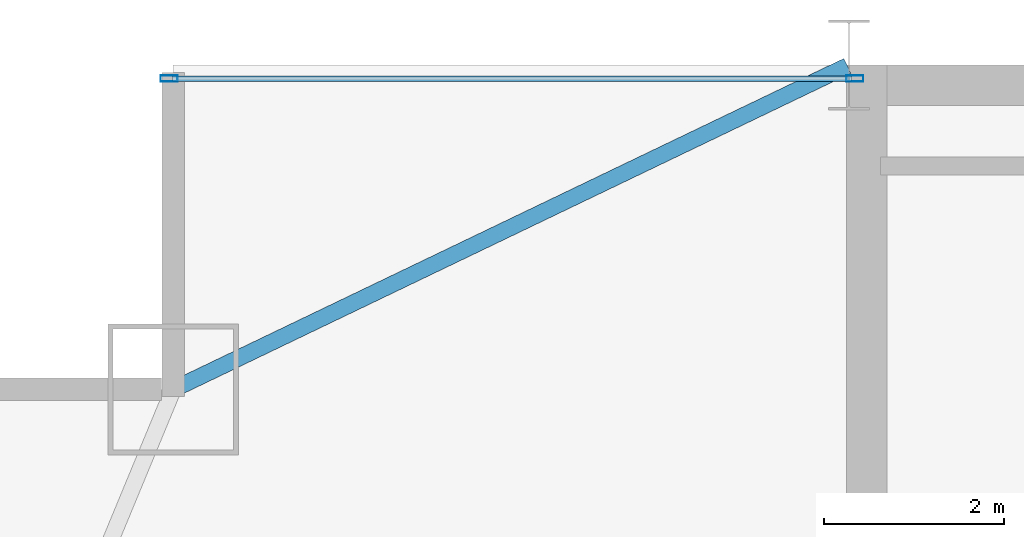
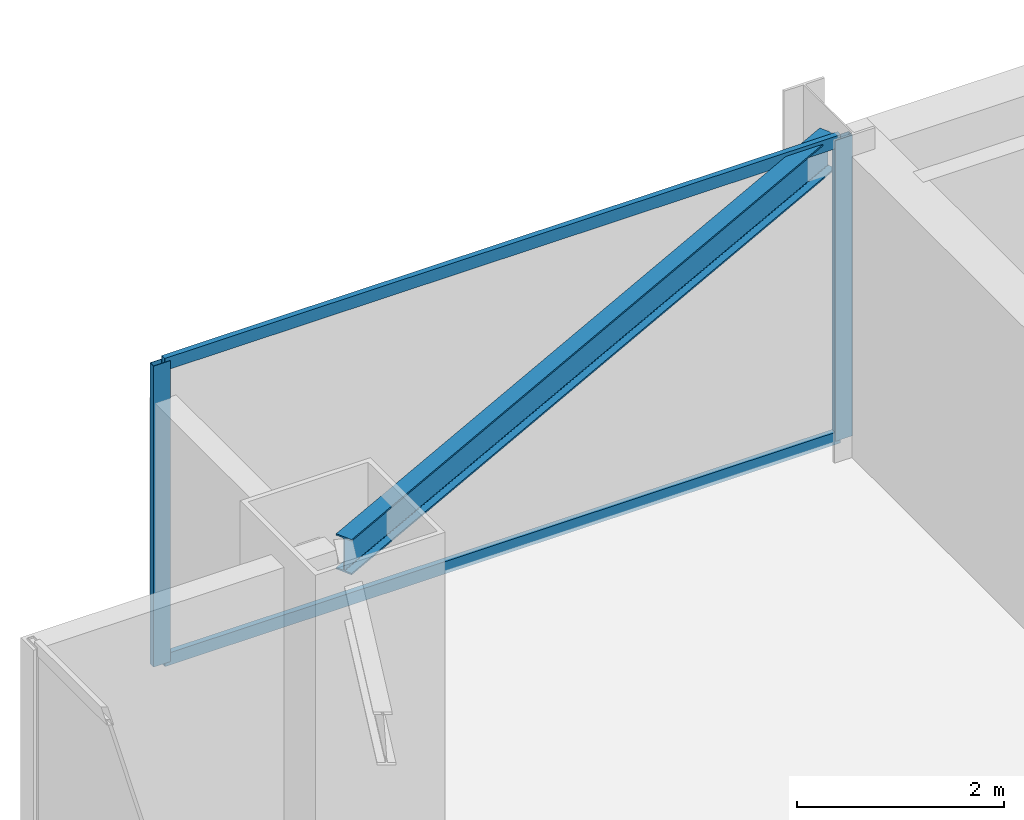
# One storey, part 22 of 36: 4 members, 1 beam, 1 element without a shape of its own.
"""IFC4 building model written with IfcOpenShell, lengths in metres."""

import ifcopenshell
import ifcopenshell.guid

model = None  # the IFC model being written
_history = None  # IfcOwnerHistory: only IFC2X3 demands one
_inside = {}  # id of a spatial element -> (the spatial element, [elements in it])
_under = {}  # id of a project, library or spatial element -> (it, [spatial elements below it])
_declared = {}  # id of a project -> (the project, [libraries it declares])
_typed = {}  # id of a type object -> (the type object, [elements of that type])
_made_of = {}  # id of a material, layer set ... -> (it, [elements and type objects made of it])


def new_model(schema):
    """Start an empty IFC model of exactly this schema.

    Asked for "IFC4X3", IfcOpenShell would pick the latest addendum, in which some entities
    have other attributes; the version numbers below select the first issue.
    IFC2X3 requires an IfcOwnerHistory on every rooted entity: one is made here for all.
    """
    global model, _history
    if schema == "IFC4X3":
        model = ifcopenshell.file(schema_version=(4, 3, 0, 0))
    else:
        model = ifcopenshell.file(schema=schema)
    _inside.clear()
    _under.clear()
    _declared.clear()
    _typed.clear()
    _made_of.clear()
    _history = None
    if model.schema == "IFC2X3":
        org = make("IfcOrganization", Name="unknown")
        user = make(
            "IfcPersonAndOrganization",
            ThePerson=make("IfcPerson", FamilyName="unknown"),
            TheOrganization=org,
        )
        app = make(
            "IfcApplication",
            ApplicationDeveloper=org,
            Version="unknown",
            ApplicationFullName="unknown",
            ApplicationIdentifier="unknown",
        )
        _history = make(
            "IfcOwnerHistory",
            OwningUser=user,
            OwningApplication=app,
            ChangeAction="ADDED",
            CreationDate=0,
        )
    return model


def make(cls, **values):
    """One entity of the class cls with the attributes given. An attribute that is None is left unset."""
    return model.create_entity(
        cls, **{name: value for name, value in values.items() if value is not None}
    )


def rooted(cls, **values):
    """An entity with a GlobalId (a new one), such as an element, a storey or a relation."""
    return make(cls, GlobalId=ifcopenshell.guid.new(), OwnerHistory=_history, **values)


def si_unit(unit_type, name, prefix=None):
    """IfcSIUnit, for example si_unit("LENGTHUNIT", "METRE", prefix="MILLI")."""
    return make("IfcSIUnit", UnitType=unit_type, Prefix=prefix, Name=name)


def assignment(units):
    """IfcUnitAssignment: the units of a project."""
    return None if units is None else make("IfcUnitAssignment", Units=units)


def point(xyz):
    """IfcCartesianPoint."""
    return None if xyz is None else make("IfcCartesianPoint", Coordinates=xyz)


def direction(xyz):
    """IfcDirection."""
    return None if xyz is None else make("IfcDirection", DirectionRatios=xyz)


def frame(location, z_axis=None, x_axis=None):
    """IfcAxis2Placement3D, a coordinate frame: its origin and axes. An axis left out is left unset."""
    return make(
        "IfcAxis2Placement3D",
        Location=point(location),
        Axis=direction(z_axis),
        RefDirection=direction(x_axis),
    )


def frame_2d(location, x_axis=None):
    """IfcAxis2Placement2D, a coordinate frame in the plane: its origin and x axis."""
    return make(
        "IfcAxis2Placement2D", Location=point(location), RefDirection=direction(x_axis)
    )


def origin():
    """The frame at (0, 0, 0) with its axes left unset."""
    return frame((0.0, 0.0, 0.0))


def origin_2d():
    """The frame at (0, 0) in the plane with its x axis left unset."""
    return frame_2d((0.0, 0.0))


def place(relative_to, where):
    """IfcLocalPlacement: puts the frame where relative to a parent placement (None: the world)."""
    return make(
        "IfcLocalPlacement", PlacementRelTo=relative_to, RelativePlacement=where
    )


def context(
    kind, dimensions, precision=None, world=None, true_north=None, identifier=None
):
    """IfcGeometricRepresentationContext, for example the 3D "Model" context."""
    return make(
        "IfcGeometricRepresentationContext",
        ContextIdentifier=identifier,
        ContextType=kind,
        CoordinateSpaceDimension=dimensions,
        Precision=precision,
        WorldCoordinateSystem=world,
        TrueNorth=true_north,
    )


def subcontext(parent, identifier, kind, view, scale=None):
    """IfcGeometricRepresentationSubContext, for example "Body" below "Model"."""
    return make(
        "IfcGeometricRepresentationSubContext",
        ContextIdentifier=identifier,
        ContextType=kind,
        ParentContext=parent,
        TargetScale=scale,
        TargetView=view,
    )


def project(units=None, contexts=None):
    """IfcProject with its units and contexts."""
    return rooted(
        "IfcProject",
        Name="project",
        RepresentationContexts=contexts,
        UnitsInContext=assignment(units),
    )


def spatial(cls, under=None, at=None, **own):
    """A site, building, storey or space (cls), placed at a placement, below another one or the project."""
    s = rooted(cls, ObjectPlacement=at, **own)
    if under is not None:
        _under.setdefault(under.id(), (under, []))[1].append(s)
    return s


def profile(cls, at=None, kind="AREA", **sizes):
    """A parametric profile (cls). Its sizes go by their IFC names, for example OverallWidth=200.0."""
    return make(cls, ProfileType=kind, Position=at, **sizes)


def hollow_rectangle(**sizes):
    """IfcRectangleHollowProfileDef."""
    return profile("IfcRectangleHollowProfileDef", **sizes)


def i_section(**sizes):
    """IfcIShapeProfileDef."""
    return profile("IfcIShapeProfileDef", **sizes)


def extrude(swept, where, along, depth):
    """IfcExtrudedAreaSolid: the profile swept, set in the frame where, extruded along a direction by depth."""
    return make(
        "IfcExtrudedAreaSolid",
        SweptArea=swept,
        Position=where,
        ExtrudedDirection=direction(along),
        Depth=depth,
    )


def shape(context_of_items, identifier, shape_type, items):
    """IfcShapeRepresentation: the items that make up one representation, for example the "Body"."""
    return make(
        "IfcShapeRepresentation",
        ContextOfItems=context_of_items,
        RepresentationIdentifier=identifier,
        RepresentationType=shape_type,
        Items=items,
    )


def source(mapping_origin, context_of_items, identifier, shape_type, items):
    """IfcRepresentationMap: a shape defined once, which mapped items show again and again."""
    return make(
        "IfcRepresentationMap",
        MappingOrigin=mapping_origin,
        MappedRepresentation=shape(context_of_items, identifier, shape_type, items),
    )


def transform(
    local_origin,
    x_axis=None,
    y_axis=None,
    z_axis=None,
    scale=None,
    scale2=None,
    scale3=None,
    uniform=True,
):
    """IfcCartesianTransformationOperator3D, or its non-uniform kind. x_axis, y_axis, z_axis: its Axis1, 2, 3."""
    if uniform:
        return make(
            "IfcCartesianTransformationOperator3D",
            Axis1=direction(x_axis),
            Axis2=direction(y_axis),
            LocalOrigin=point(local_origin),
            Scale=scale,
            Axis3=direction(z_axis),
        )
    return make(
        "IfcCartesianTransformationOperator3DnonUniform",
        Axis1=direction(x_axis),
        Axis2=direction(y_axis),
        LocalOrigin=point(local_origin),
        Scale=scale,
        Axis3=direction(z_axis),
        Scale2=scale2,
        Scale3=scale3,
    )


def mapped(mapping_source, mapping_target):
    """IfcMappedItem: shows the shape of a source again, moved by a transform."""
    return make(
        "IfcMappedItem", MappingSource=mapping_source, MappingTarget=mapping_target
    )


def material(Name=None, Category=None):
    """IfcMaterial."""
    return make("IfcMaterial", Name=Name, Category=Category)


def layer(
    of_material, thickness, ventilated=None, Name=None, Category=None, Priority=None
):
    """IfcMaterialLayer: one layer of a wall or slab, of a material (None: an air gap)."""
    return make(
        "IfcMaterialLayer",
        Material=of_material,
        LayerThickness=thickness,
        IsVentilated=ventilated,
        Name=Name,
        Category=Category,
        Priority=Priority,
    )


def layer_set(layers, Name=None):
    """IfcMaterialLayerSet."""
    return make("IfcMaterialLayerSet", MaterialLayers=layers, LayerSetName=Name)


def material_profile(
    of_material, cross_section, Name=None, Category=None, Priority=None
):
    """IfcMaterialProfile: a cross section and its material."""
    return make(
        "IfcMaterialProfile",
        Name=Name,
        Material=of_material,
        Profile=cross_section,
        Priority=Priority,
        Category=Category,
    )


def profile_set(profiles, Name=None, composite=None):
    """IfcMaterialProfileSet."""
    return make(
        "IfcMaterialProfileSet",
        Name=Name,
        MaterialProfiles=profiles,
        CompositeProfile=composite,
    )


def made_of(thing, what):
    """Note that an element or type object is made of a material, layer set ...; save() writes the relation."""
    if what is not None:
        _made_of.setdefault(what.id(), (what, []))[1].append(thing)
    return thing


def type_object(cls, material=None, **own):
    """A type object (cls), such as IfcWallType, which elements share."""
    return made_of(rooted(cls, **own), material)


def type_shapes(of_type, sources):
    """Give a type object the sources (RepresentationMaps) that its elements show as mapped items."""
    of_type.RepresentationMaps = sources


def element(
    cls,
    number,
    at=None,
    inside=None,
    cuts=None,
    type_object=None,
    material=None,
    context=None,
    identifier="Body",
    shape_type=None,
    held_by="IfcProductDefinitionShape",
    body=None,
    shapes=None,
    **own,
):
    """One element of the class cls, such as IfcWall. Its Tag is "e" and its number.

    at: its placement. inside: the storey or other place that contains it. cuts: it is an
    opening in that element (IfcRelVoidsElement). A single representation is given by context,
    identifier, shape_type and body (its items); several are given by shapes. held_by: the class
    of the entity that holds the representations. save() writes the other relations.
    """
    e = rooted(cls, Tag="e%d" % number, ObjectPlacement=at, **own)
    if body is not None:
        shapes = [shape(context, identifier, shape_type, body)]
    if shapes is not None:
        e.Representation = make(held_by, Representations=shapes)
    if inside is not None:
        _inside.setdefault(inside.id(), (inside, []))[1].append(e)
    if cuts is not None:
        rooted(
            "IfcRelVoidsElement", RelatingBuildingElement=cuts, RelatedOpeningElement=e
        )
    if type_object is not None:
        _typed.setdefault(type_object.id(), (type_object, []))[1].append(e)
    return made_of(e, material)


def aggregate(whole, parts):
    """IfcRelAggregates: a whole, such as a stair, and the parts it consists of."""
    return rooted("IfcRelAggregates", RelatingObject=whole, RelatedObjects=parts)


def save(model, path):
    """Write the relations noted so far, then the file.

    IfcRelAggregates (storeys below a building ...), IfcRelContainedInSpatialStructure (elements
    in a storey), IfcRelDefinesByType, IfcRelAssociatesMaterial and IfcRelDeclares: one each for
    every whole, place, type object, material and project.
    """
    for whole, parts in _under.values():
        aggregate(whole, parts)
    for where, things in _inside.values():
        rooted(
            "IfcRelContainedInSpatialStructure",
            RelatedElements=things,
            RelatingStructure=where,
        )
    for kind, things in _typed.values():
        rooted("IfcRelDefinesByType", RelatedObjects=things, RelatingType=kind)
    for what, things in _made_of.values():
        rooted("IfcRelAssociatesMaterial", RelatedObjects=things, RelatingMaterial=what)
    for by, libraries in _declared.values():
        rooted("IfcRelDeclares", RelatingContext=by, RelatedDefinitions=libraries)
    model.write(path)


model = new_model("IFC4")

# Units and contexts
model_context = context("Model", 3, precision=1e-05, world=origin(), true_north=direction((0.0, 1.0)))
body_context = subcontext(model_context, "Body", "Model", "MODEL_VIEW")
ifc_project = project(units=[si_unit("LENGTHUNIT", "METRE"), si_unit("AREAUNIT", "SQUARE_METRE"), si_unit("VOLUMEUNIT", "CUBIC_METRE"), si_unit("PLANEANGLEUNIT", "RADIAN"), si_unit("MASSUNIT", "GRAM", prefix="KILO")], contexts=[model_context])

# Site, building, storey
site_placement = place(None, origin())
site = spatial("IfcSite", under=ifc_project, at=site_placement, CompositionType="ELEMENT")
building_placement = place(site_placement, origin())
building = spatial("IfcBuilding", under=site, at=building_placement, Name="Varnel Quay Broadcast Tower", CompositionType="ELEMENT")
storey_placement = place(building_placement, frame((0.0, 0.0, 114.39990234375)))
storey = spatial("IfcBuildingStorey", under=building, at=storey_placement, Name="L27", CompositionType="ELEMENT", Elevation=114.39990234375)

# Beam
ifc_material_1 = material(Name="Structural Steel CSA G40.21 350W", Category="steel")
ifc_material_profile_1 = material_profile(ifc_material_1, i_section(OverallWidth=0.180908203125, OverallDepth=0.4169921875, WebThickness=0.010986328125, FlangeThickness=0.018310546875, FilletRadius=0.011962890625, at=origin_2d()), Name="W410X85")
ifc_profile_set_1 = profile_set([ifc_material_profile_1], Name="Structural Steel CSA G40.21 350W")
beam_type = type_object("IfcBeamType", Name="Beam_W410X85", PredefinedType="SPANDREL", material=ifc_profile_set_1)
shared_shape_1 = source(origin(), body_context, "Body", "SweptSolid", [
    extrude(i_section(OverallWidth=0.180908203125, OverallDepth=0.4169921875, WebThickness=0.010986328125, FlangeThickness=0.018310546875, FilletRadius=0.011962890625, at=origin_2d()), origin(), (0.0, 0.0, 1.0), 8.279296875),
])
type_shapes(beam_type, [shared_shape_1])
beam_placement = place(storey_placement, frame((8.117919921875, 43.208740234375, 3.341552734375), z_axis=(0.901535021024, 0.432706142626, 0.0), x_axis=(-0.432706142626, 0.901535021024, 0.0)))
element("IfcBeam", 1, at=beam_placement, inside=storey, type_object=beam_type, Name="L27 NW Tie Spandrel", PredefinedType="SPANDREL", context=body_context, shape_type="MappedRepresentation", body=[
    mapped(shared_shape_1, transform((0.0, 0.0, 0.0), x_axis=(1.0, 0.0, 0.0), y_axis=(0.0, 1.0, 0.0), z_axis=(0.0, 0.0, 1.0), scale=1.0)),
])

# Curtain wall, members
ifc_material_2 = material(Name="Anodised Bronze Aluminium 6063-T6", Category="aluminium")
ifc_layer = layer(ifc_material_2, 0.18994140625, Name="Anodised Bronze Aluminium 6063-T6")
ifc_layer_set = layer_set([ifc_layer], Name="Anodised Bronze Aluminium 6063-T6")
curtain_wall_type = type_object("IfcCurtainWallType", Name="CW_LowerTower", PredefinedType="NOTDEFINED", material=ifc_layer_set)
curtain_wall_placement = place(storey_placement, origin())
curtain_wall = element("IfcCurtainWall", 2, at=curtain_wall_placement, inside=storey, type_object=curtain_wall_type, Name="L27 NW Wing Curtain Wall", PredefinedType="NOTDEFINED")
ifc_material_profile_2 = material_profile(ifc_material_2, hollow_rectangle(XDim=0.070068359375, YDim=0.18994140625, WallThickness=0.00390625, at=origin_2d()), Name="ALU70X190X4")
ifc_profile_set_2 = profile_set([ifc_material_profile_2], Name="Anodised Bronze Aluminium 6063-T6")
member_type_1 = type_object("IfcMemberType", Name="Mull_CWS-02", PredefinedType="MULLION", material=ifc_profile_set_2)
shared_shape_2 = source(origin(), body_context, "Body", "SweptSolid", [
    extrude(hollow_rectangle(XDim=0.070068359375, YDim=0.18994140625, WallThickness=0.00390625, at=origin_2d()), origin(), (0.0, 0.0, 1.0), 3.550048828125),
])
type_shapes(member_type_1, [shared_shape_2])
member_1_placement = place(storey_placement, frame((8.054931640625, 46.64990234375, 0.0), z_axis=(0.0, 0.0, 1.0), x_axis=(0.0, 1.0, 0.0)))
member_1 = element("IfcMember", 3, at=member_1_placement, type_object=member_type_1, Name="CWS-02 mullion 1", PredefinedType="MULLION", context=body_context, shape_type="MappedRepresentation", body=[
    mapped(shared_shape_2, transform((0.0, 0.0, 0.0), x_axis=(1.0, 0.0, 0.0), y_axis=(0.0, 1.0, 0.0), z_axis=(0.0, 0.0, 1.0), scale=1.0)),
])
member_2_placement = place(storey_placement, frame((15.6650390625, 46.64990234375, 0.0), z_axis=(0.0, 0.0, 1.0), x_axis=(0.0, 1.0, 0.0)))
member_2 = element("IfcMember", 4, at=member_2_placement, type_object=member_type_1, Name="CWS-02 mullion 2", PredefinedType="MULLION", context=body_context, shape_type="MappedRepresentation", body=[
    mapped(shared_shape_2, transform((0.0, 0.0, 0.0), x_axis=(1.0, 0.0, 0.0), y_axis=(0.0, 1.0, 0.0), z_axis=(0.0, 0.0, 1.0), scale=1.0)),
])
ifc_material_profile_3 = material_profile(ifc_material_2, hollow_rectangle(XDim=0.06005859375, YDim=0.14501953125, WallThickness=0.00341796875, at=origin_2d()), Name="ALU60X145X3.5")
ifc_profile_set_3 = profile_set([ifc_material_profile_3], Name="Anodised Bronze Aluminium 6063-T6")
member_type_2 = type_object("IfcMemberType", Name="Tran_CWS-02", PredefinedType="USERDEFINED", material=ifc_profile_set_3)
shared_shape_3 = source(origin(), body_context, "Body", "SweptSolid", [
    extrude(hollow_rectangle(XDim=0.06005859375, YDim=0.14501953125, WallThickness=0.00341796875, at=origin_2d()), origin(), (0.0, 0.0, 1.0), 7.539794921875),
])
type_shapes(member_type_2, [shared_shape_3])
member_3_placement = place(storey_placement, frame((8.090087890625, 46.64990234375, 0.030029296875), z_axis=(1.0, 0.0, 0.0), x_axis=(0.0, 1.0, 0.0)))
member_3 = element("IfcMember", 5, at=member_3_placement, type_object=member_type_2, Name="CWS-02 transom 1.1", ObjectType="TRANSOM", PredefinedType="USERDEFINED", context=body_context, shape_type="MappedRepresentation", body=[
    mapped(shared_shape_3, transform((0.0, 0.0, 0.0), x_axis=(1.0, 0.0, 0.0), y_axis=(0.0, 1.0, 0.0), z_axis=(0.0, 0.0, 1.0), scale=1.0)),
])
member_4_placement = place(storey_placement, frame((8.090087890625, 46.64990234375, 3.52001953125), z_axis=(1.0, 0.0, 0.0), x_axis=(0.0, 1.0, 0.0)))
member_4 = element("IfcMember", 6, at=member_4_placement, type_object=member_type_2, Name="CWS-02 transom 1.2", ObjectType="TRANSOM", PredefinedType="USERDEFINED", context=body_context, shape_type="MappedRepresentation", body=[
    mapped(shared_shape_3, transform((0.0, 0.0, 0.0), x_axis=(1.0, 0.0, 0.0), y_axis=(0.0, 1.0, 0.0), z_axis=(0.0, 0.0, 1.0), scale=1.0)),
])
aggregate(curtain_wall, [member_1, member_2, member_3, member_4])

save(model, "model.ifc")
